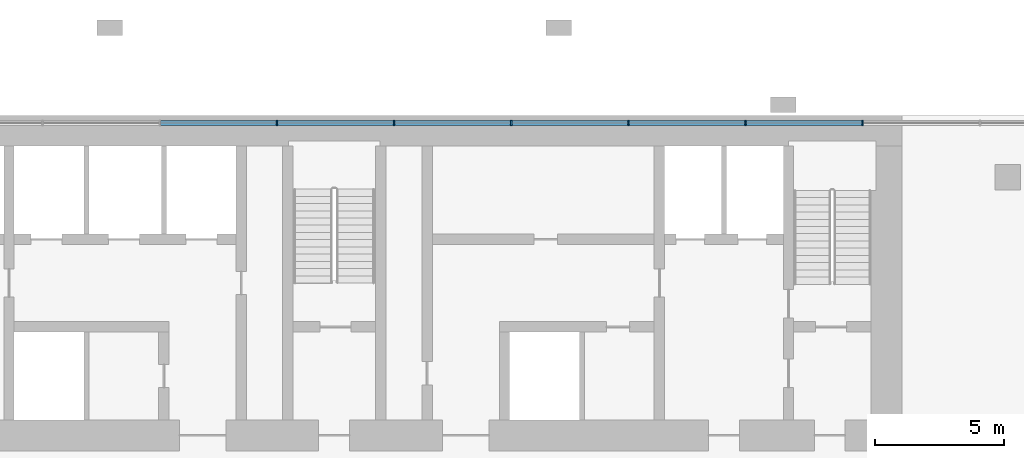
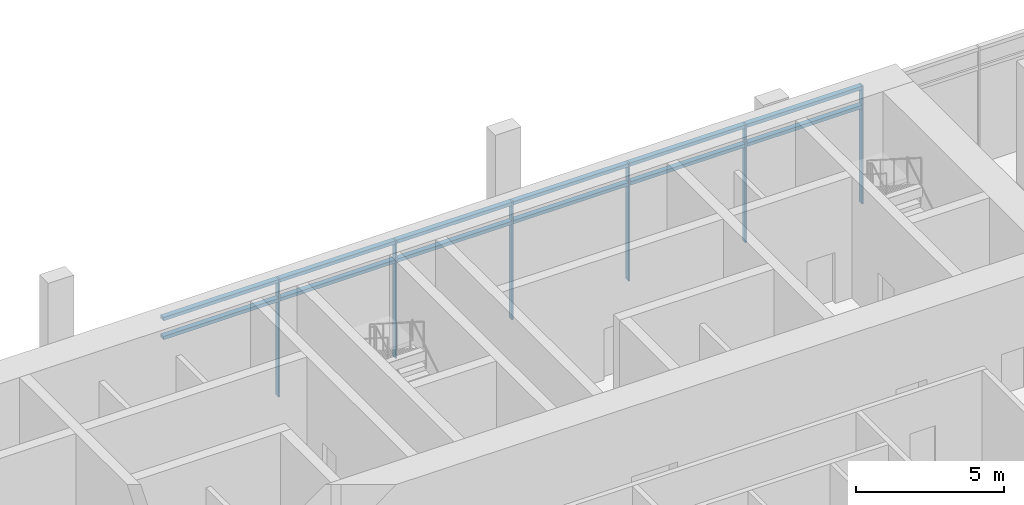
# One storey, part 6 of 17: 18 members, 1 element without a shape of its own.
"""IFC4 building model written with IfcOpenShell, lengths in metres."""

from ifc_helpers import new_model, si_unit, direction, frame, origin, origin_2d, place, context, subcontext, project, spatial, rectangle, extrude, material, material_profile, profile_set, type_object, element, aggregate, save


model = new_model("IFC4")

# Units and contexts
model_context = context("Model", 3, precision=1e-05, world=origin(), true_north=direction((0.0, 1.0)))
body_context = subcontext(model_context, "Body", "Model", "MODEL_VIEW")
ifc_project = project(units=[si_unit("LENGTHUNIT", "METRE"), si_unit("AREAUNIT", "SQUARE_METRE"), si_unit("VOLUMEUNIT", "CUBIC_METRE"), si_unit("PLANEANGLEUNIT", "RADIAN"), si_unit("MASSUNIT", "GRAM", prefix="KILO")], contexts=[model_context])

# Site, building, storey
site_placement = place(None, origin())
site = spatial("IfcSite", under=ifc_project, at=site_placement, CompositionType="ELEMENT")
building_placement = place(site_placement, origin())
building = spatial("IfcBuilding", under=site, at=building_placement, Name="Bicima Exchange Tower", CompositionType="ELEMENT")
storey_placement = place(building_placement, frame((0.0, 0.0, 30.0)))
storey = spatial("IfcBuildingStorey", under=building, at=storey_placement, Name="L05", CompositionType="ELEMENT", Elevation=30.0)

# Curtain wall, members
ifc_material = material(Name="Anodised bronze aluminium", Category="aluminium")
curtain_wall_type = type_object("IfcCurtainWallType", Name="Lobby glazing", PredefinedType="NOTDEFINED", material=ifc_material)
curtain_wall_placement = place(storey_placement, origin())
curtain_wall = element("IfcCurtainWall", 1, at=curtain_wall_placement, inside=storey, type_object=curtain_wall_type, Name="Podium glazing L05 north 1", PredefinedType="NOTDEFINED")
ifc_material_profile_1 = material_profile(ifc_material, rectangle(XDim=0.199951171875, YDim=0.06005859375, at=origin_2d()))
ifc_profile_set_1 = profile_set([ifc_material_profile_1], Name="Anodised bronze aluminium")
member_type_1 = type_object("IfcMemberType", Name="Lobby glazing mullion 60 x 200", PredefinedType="MULLION", material=ifc_profile_set_1)
member_1_placement = place(storey_placement, frame((20.475341796875, -0.300048828125, 0.0), z_axis=(0.0, 0.0, 1.0), x_axis=(0.0, -1.0, 0.0)))
member_1 = element("IfcMember", 2, at=member_1_placement, type_object=member_type_1, Name="Lobby glazing mullion 6", PredefinedType="MULLION", context=body_context, shape_type="SweptSolid", body=[
    extrude(rectangle(XDim=0.199951171875, YDim=0.06005859375, at=origin_2d()), origin(), (0.0, 0.0, 1.0), 4.85009765625),
])
member_2_placement = place(storey_placement, frame((15.936279296875, -0.300048828125, 0.0), z_axis=(0.0, 0.0, 1.0), x_axis=(0.0, -1.0, 0.0)))
member_2 = element("IfcMember", 3, at=member_2_placement, type_object=member_type_1, Name="Lobby glazing mullion 7", PredefinedType="MULLION", context=body_context, shape_type="SweptSolid", body=[
    extrude(rectangle(XDim=0.199951171875, YDim=0.06005859375, at=origin_2d()), origin(), (0.0, 0.0, 1.0), 4.85009765625),
])
member_3_placement = place(storey_placement, frame((11.3974609375, -0.300048828125, 0.0), z_axis=(0.0, 0.0, 1.0), x_axis=(0.0, -1.0, 0.0)))
member_3 = element("IfcMember", 4, at=member_3_placement, type_object=member_type_1, Name="Lobby glazing mullion 8", PredefinedType="MULLION", context=body_context, shape_type="SweptSolid", body=[
    extrude(rectangle(XDim=0.199951171875, YDim=0.06005859375, at=origin_2d()), origin(), (0.0, 0.0, 1.0), 4.85009765625),
])
member_4_placement = place(storey_placement, frame((6.8583984375, -0.300048828125, 0.0), z_axis=(0.0, 0.0, 1.0), x_axis=(0.0, -1.0, 0.0)))
member_4 = element("IfcMember", 5, at=member_4_placement, type_object=member_type_1, Name="Lobby glazing mullion 9", PredefinedType="MULLION", context=body_context, shape_type="SweptSolid", body=[
    extrude(rectangle(XDim=0.199951171875, YDim=0.06005859375, at=origin_2d()), origin(), (0.0, 0.0, 1.0), 4.85009765625),
])
member_5_placement = place(storey_placement, frame((2.319580078125, -0.300048828125, 0.0), z_axis=(0.0, 0.0, 1.0), x_axis=(0.0, -1.0, 0.0)))
member_5 = element("IfcMember", 6, at=member_5_placement, type_object=member_type_1, Name="Lobby glazing mullion 10", PredefinedType="MULLION", context=body_context, shape_type="SweptSolid", body=[
    extrude(rectangle(XDim=0.199951171875, YDim=0.06005859375, at=origin_2d()), origin(), (0.0, 0.0, 1.0), 4.85009765625),
])
member_6_placement = place(storey_placement, frame((-2.219482421875, -0.300048828125, 0.0), z_axis=(0.0, 0.0, 1.0), x_axis=(0.0, -1.0, 0.0)))
member_6 = element("IfcMember", 7, at=member_6_placement, type_object=member_type_1, Name="Lobby glazing mullion 11", PredefinedType="MULLION", context=body_context, shape_type="SweptSolid", body=[
    extrude(rectangle(XDim=0.199951171875, YDim=0.06005859375, at=origin_2d()), origin(), (0.0, 0.0, 1.0), 4.85009765625),
])
ifc_material_profile_2 = material_profile(ifc_material, rectangle(XDim=0.199951171875, YDim=0.139892578125, at=origin_2d()))
ifc_profile_set_2 = profile_set([ifc_material_profile_2], Name="Anodised bronze aluminium")
member_type_2 = type_object("IfcMemberType", Name="Lobby glazing transom 140 x 200", PredefinedType="USERDEFINED", material=ifc_profile_set_2)
member_7_placement = place(storey_placement, frame((20.4453125, -0.300048828125, 4.0), z_axis=(-1.0, 0.0, 0.0), x_axis=(0.0, -1.0, 0.0)))
member_7 = element("IfcMember", 8, at=member_7_placement, type_object=member_type_2, Name="Lobby glazing transom 6.1", ObjectType="TRANSOM", PredefinedType="USERDEFINED", context=body_context, shape_type="SweptSolid", body=[
    extrude(rectangle(XDim=0.199951171875, YDim=0.139892578125, at=origin_2d()), origin(), (0.0, 0.0, 1.0), 4.47900390625),
])
member_8_placement = place(storey_placement, frame((20.4453125, -0.300048828125, 4.780029296875), z_axis=(-1.0, 0.0, 0.0), x_axis=(0.0, -1.0, 0.0)))
member_8 = element("IfcMember", 9, at=member_8_placement, type_object=member_type_2, Name="Lobby glazing transom 6.2", ObjectType="TRANSOM", PredefinedType="USERDEFINED", context=body_context, shape_type="SweptSolid", body=[
    extrude(rectangle(XDim=0.199951171875, YDim=0.139892578125, at=origin_2d()), origin(), (0.0, 0.0, 1.0), 4.47900390625),
])
member_9_placement = place(storey_placement, frame((15.90625, -0.300048828125, 4.0), z_axis=(-1.0, 0.0, 0.0), x_axis=(0.0, -1.0, 0.0)))
member_9 = element("IfcMember", 10, at=member_9_placement, type_object=member_type_2, Name="Lobby glazing transom 7.1", ObjectType="TRANSOM", PredefinedType="USERDEFINED", context=body_context, shape_type="SweptSolid", body=[
    extrude(rectangle(XDim=0.199951171875, YDim=0.139892578125, at=origin_2d()), origin(), (0.0, 0.0, 1.0), 4.478759765625),
])
member_10_placement = place(storey_placement, frame((15.90625, -0.300048828125, 4.780029296875), z_axis=(-1.0, 0.0, 0.0), x_axis=(0.0, -1.0, 0.0)))
member_10 = element("IfcMember", 11, at=member_10_placement, type_object=member_type_2, Name="Lobby glazing transom 7.2", ObjectType="TRANSOM", PredefinedType="USERDEFINED", context=body_context, shape_type="SweptSolid", body=[
    extrude(rectangle(XDim=0.199951171875, YDim=0.139892578125, at=origin_2d()), origin(), (0.0, 0.0, 1.0), 4.478759765625),
])
member_11_placement = place(storey_placement, frame((11.367431640625, -0.300048828125, 4.0), z_axis=(-1.0, 0.0, 0.0), x_axis=(0.0, -1.0, 0.0)))
member_11 = element("IfcMember", 12, at=member_11_placement, type_object=member_type_2, Name="Lobby glazing transom 8.1", ObjectType="TRANSOM", PredefinedType="USERDEFINED", context=body_context, shape_type="SweptSolid", body=[
    extrude(rectangle(XDim=0.199951171875, YDim=0.139892578125, at=origin_2d()), origin(), (0.0, 0.0, 1.0), 4.47900390625),
])
member_12_placement = place(storey_placement, frame((11.367431640625, -0.300048828125, 4.780029296875), z_axis=(-1.0, 0.0, 0.0), x_axis=(0.0, -1.0, 0.0)))
member_12 = element("IfcMember", 13, at=member_12_placement, type_object=member_type_2, Name="Lobby glazing transom 8.2", ObjectType="TRANSOM", PredefinedType="USERDEFINED", context=body_context, shape_type="SweptSolid", body=[
    extrude(rectangle(XDim=0.199951171875, YDim=0.139892578125, at=origin_2d()), origin(), (0.0, 0.0, 1.0), 4.47900390625),
])
member_13_placement = place(storey_placement, frame((6.828369140625, -0.300048828125, 4.0), z_axis=(-1.0, 0.0, 0.0), x_axis=(0.0, -1.0, 0.0)))
member_13 = element("IfcMember", 14, at=member_13_placement, type_object=member_type_2, Name="Lobby glazing transom 9.1", ObjectType="TRANSOM", PredefinedType="USERDEFINED", context=body_context, shape_type="SweptSolid", body=[
    extrude(rectangle(XDim=0.199951171875, YDim=0.139892578125, at=origin_2d()), origin(), (0.0, 0.0, 1.0), 4.478759765625),
])
member_14_placement = place(storey_placement, frame((6.828369140625, -0.300048828125, 4.780029296875), z_axis=(-1.0, 0.0, 0.0), x_axis=(0.0, -1.0, 0.0)))
member_14 = element("IfcMember", 15, at=member_14_placement, type_object=member_type_2, Name="Lobby glazing transom 9.2", ObjectType="TRANSOM", PredefinedType="USERDEFINED", context=body_context, shape_type="SweptSolid", body=[
    extrude(rectangle(XDim=0.199951171875, YDim=0.139892578125, at=origin_2d()), origin(), (0.0, 0.0, 1.0), 4.478759765625),
])
member_15_placement = place(storey_placement, frame((2.28955078125, -0.300048828125, 4.0), z_axis=(-1.0, 0.0, 0.0), x_axis=(0.0, -1.0, 0.0)))
member_15 = element("IfcMember", 16, at=member_15_placement, type_object=member_type_2, Name="Lobby glazing transom 10.1", ObjectType="TRANSOM", PredefinedType="USERDEFINED", context=body_context, shape_type="SweptSolid", body=[
    extrude(rectangle(XDim=0.199951171875, YDim=0.139892578125, at=origin_2d()), origin(), (0.0, 0.0, 1.0), 4.47900390625),
])
member_16_placement = place(storey_placement, frame((2.28955078125, -0.300048828125, 4.780029296875), z_axis=(-1.0, 0.0, 0.0), x_axis=(0.0, -1.0, 0.0)))
member_16 = element("IfcMember", 17, at=member_16_placement, type_object=member_type_2, Name="Lobby glazing transom 10.2", ObjectType="TRANSOM", PredefinedType="USERDEFINED", context=body_context, shape_type="SweptSolid", body=[
    extrude(rectangle(XDim=0.199951171875, YDim=0.139892578125, at=origin_2d()), origin(), (0.0, 0.0, 1.0), 4.47900390625),
])
member_17_placement = place(storey_placement, frame((-2.24951171875, -0.300048828125, 4.0), z_axis=(-1.0, 0.0, 0.0), x_axis=(0.0, -1.0, 0.0)))
member_17 = element("IfcMember", 18, at=member_17_placement, type_object=member_type_2, Name="Lobby glazing transom 11.1", ObjectType="TRANSOM", PredefinedType="USERDEFINED", context=body_context, shape_type="SweptSolid", body=[
    extrude(rectangle(XDim=0.199951171875, YDim=0.139892578125, at=origin_2d()), origin(), (0.0, 0.0, 1.0), 4.47900390625),
])
member_18_placement = place(storey_placement, frame((-2.24951171875, -0.300048828125, 4.780029296875), z_axis=(-1.0, 0.0, 0.0), x_axis=(0.0, -1.0, 0.0)))
member_18 = element("IfcMember", 19, at=member_18_placement, type_object=member_type_2, Name="Lobby glazing transom 11.2", ObjectType="TRANSOM", PredefinedType="USERDEFINED", context=body_context, shape_type="SweptSolid", body=[
    extrude(rectangle(XDim=0.199951171875, YDim=0.139892578125, at=origin_2d()), origin(), (0.0, 0.0, 1.0), 4.47900390625),
])
aggregate(curtain_wall, [member_1, member_2, member_3, member_4, member_5, member_6, member_7, member_8, member_9, member_10, member_11, member_12, member_13, member_14, member_15, member_16, member_17, member_18])

save(model, "model.ifc")
